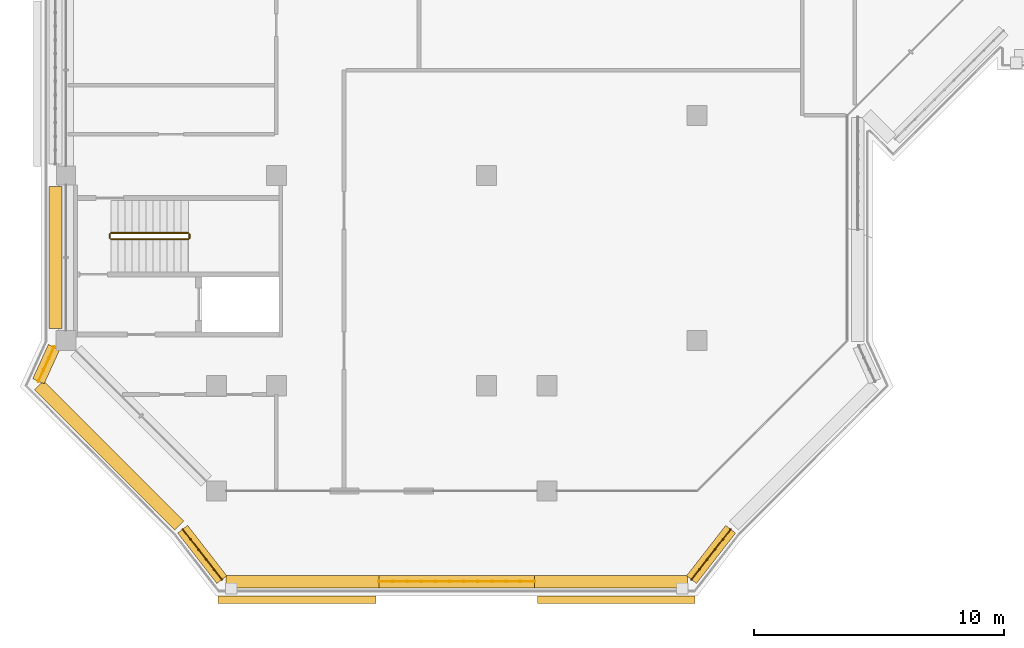
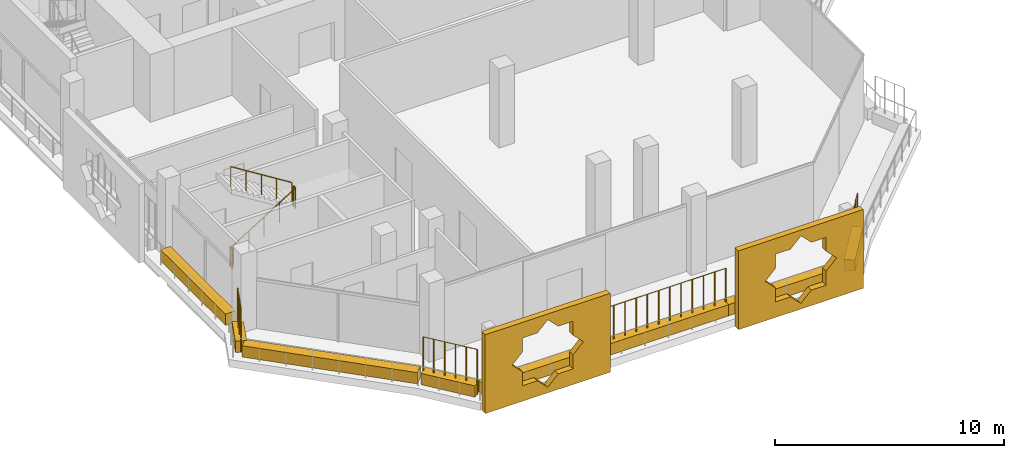
# One storey, part 15 of 23: 10 coverings, 8 railings.
"""IFC4 building model written with IfcOpenShell, lengths in metres."""

from ifc_helpers import new_model, si_unit, direction, frame, origin, origin_2d, place, context, subcontext, project, spatial, polyline, rectangle, circle, outline, extrude, material, material_profile, profile_set, type_object, element, save


model = new_model("IFC4")

# Units and contexts
model_context = context("Model", 3, precision=1e-05, world=origin(), true_north=direction((0.0, 1.0)))
body_context = subcontext(model_context, "Body", "Model", "MODEL_VIEW")
ifc_project = project(units=[si_unit("LENGTHUNIT", "METRE"), si_unit("AREAUNIT", "SQUARE_METRE"), si_unit("VOLUMEUNIT", "CUBIC_METRE"), si_unit("PLANEANGLEUNIT", "RADIAN"), si_unit("MASSUNIT", "GRAM", prefix="KILO")], contexts=[model_context])

# Site, building, storey
site_placement = place(None, origin())
site = spatial("IfcSite", under=ifc_project, at=site_placement, CompositionType="ELEMENT")
building_placement = place(site_placement, origin())
building = spatial("IfcBuilding", under=site, at=building_placement, Name="Kawkab Arch Medical Tower", CompositionType="ELEMENT")
storey_placement = place(building_placement, frame((0.0, 0.0, 281.800048828125)))
storey = spatial("IfcBuildingStorey", under=building, at=storey_placement, Name="L65", CompositionType="ELEMENT", Elevation=281.800048828125)

# Coverings
ifc_material_1 = material(Name="Bronze anodised aluminium mashrabiya panel, eight-point star pattern", Category="aluminium")
ifc_material_profile_1 = material_profile(ifc_material_1, outline(polyline([(-3.14990234375, -2.10009765625), (3.14990234375, -2.10009765625), (3.14990234375, 2.10009765625), (-3.14990234375, 2.10009765625), (-3.14990234375, -2.10009765625)]), holes=[polyline([(1.800048828125, 0.0), (1.272705078125, 0.527099609375), (1.272705078125, 1.272705078125), (0.527099609375, 1.272705078125), (0.0, 1.800048828125), (-0.527099609375, 1.272705078125), (-1.272705078125, 1.272705078125), (-1.272705078125, 0.527099609375), (-1.800048828125, 0.0), (-1.272705078125, -0.527099609375), (-1.272705078125, -1.272705078125), (-0.527099609375, -1.272705078125), (0.0, -1.800048828125), (0.527099609375, -1.272705078125), (1.272705078125, -1.272705078125), (1.272705078125, -0.527099609375), (1.800048828125, 0.0)])]), Name="Mashrabiya panel 6300x4200")
ifc_profile_set_1 = profile_set([ifc_material_profile_1], Name="Bronze anodised aluminium mashrabiya panel, eight-point star pattern")
covering_type_1 = type_object("IfcCoveringType", Name="Mashrabiya panel 6300 x 4200", PredefinedType="USERDEFINED", material=ifc_profile_set_1)
for number, where, z_axis, x_axis, name in (
    (1, (21.976806640625, -50.39990234375, 1.699951171875), (0.0, -1.0, 0.0), (1.0, 0.0, 0.0), "Mashrabiya panel L65.LOG-01-02.8"),
    (2, (9.223388671875, -50.39990234375, 1.699951171875), (0.0, -1.0, 0.0), (1.0, 0.0, 0.0), "Mashrabiya panel L65.LOG-01-02.9"),
):
    element("IfcCovering", number, at=place(storey_placement, frame(where, z_axis=z_axis, x_axis=x_axis)), inside=storey, type_object=covering_type_1, Name=name, ObjectType="SCREEN", PredefinedType="USERDEFINED", context=body_context, shape_type="SweptSolid", body=[
        extrude(outline(polyline([(-3.14990234375, -2.10009765625), (3.14990234375, -2.10009765625), (3.14990234375, 2.10009765625), (-3.14990234375, 2.10009765625), (-3.14990234375, -2.10009765625)]), holes=[polyline([(1.800048828125, 0.0), (1.272705078125, 0.527099609375), (1.272705078125, 1.272705078125), (0.527099609375, 1.272705078125), (0.0, 1.800048828125), (-0.527099609375, 1.272705078125), (-1.272705078125, 1.272705078125), (-1.272705078125, 0.527099609375), (-1.800048828125, 0.0), (-1.272705078125, -0.527099609375), (-1.272705078125, -1.272705078125), (-0.527099609375, -1.272705078125), (0.0, -1.800048828125), (0.527099609375, -1.272705078125), (1.272705078125, -1.272705078125), (1.272705078125, -0.527099609375), (1.800048828125, 0.0)])]), origin(), (0.0, 0.0, 1.0), 0.300048828125),
    ])
ifc_material_2 = material(Name="Planting soil in a precast trough", Category="concrete")
ifc_material_profile_2 = material_profile(ifc_material_2, rectangle(XDim=0.5, YDim=0.60009765625, at=origin_2d()), Name="Trough 500x600")
ifc_profile_set_2 = profile_set([ifc_material_profile_2], Name="Planting soil in a precast trough")
covering_type_2 = type_object("IfcCoveringType", Name="Planter trough 500 x 600", PredefinedType="USERDEFINED", material=ifc_profile_set_2)
covering_1_placement = place(storey_placement, frame((6.221923828125, -49.740966796875, 0.300048828125), z_axis=(-0.61404021143, 0.789274742246, 0.0), x_axis=(-0.789274742246, -0.61404021143, 0.0)))
element("IfcCovering", 3, at=covering_1_placement, inside=storey, type_object=covering_type_2, Name="Planter L65.LOG-01-02.1", ObjectType="PLANTER", PredefinedType="USERDEFINED", context=body_context, shape_type="SweptSolid", body=[
    extrude(rectangle(XDim=0.5, YDim=0.60009765625, at=origin_2d()), origin(), (0.0, 0.0, 1.0), 2.54541015625),
])
covering_2_placement = place(storey_placement, frame((4.527099609375, -47.5830078125, 0.300048828125), z_axis=(-0.707106781187, 0.707106781187, 0.0), x_axis=(-0.707106781187, -0.707106781187, 0.0)))
element("IfcCovering", 4, at=covering_2_placement, inside=storey, type_object=covering_type_2, Name="Planter L65.LOG-01-02.2", ObjectType="PLANTER", PredefinedType="USERDEFINED", context=body_context, shape_type="SweptSolid", body=[
    extrude(rectangle(XDim=0.5, YDim=0.60009765625, at=origin_2d()), origin(), (0.0, 0.0, 1.0), 7.919677734375),
])
covering_3_placement = place(storey_placement, frame((-1.10205078125, -41.821044921875, 0.300048828125), z_axis=(0.415189748133, 0.909734836667, 0.0), x_axis=(-0.909734836667, 0.415189748133, 0.0)))
element("IfcCovering", 5, at=covering_3_placement, inside=storey, type_object=covering_type_2, Name="Planter L65.LOG-01-02.3", ObjectType="PLANTER", PredefinedType="USERDEFINED", context=body_context, shape_type="SweptSolid", body=[
    extrude(rectangle(XDim=0.5, YDim=0.60009765625, at=origin_2d()), origin(), (0.0, 0.0, 1.0), 1.498291015625),
])
covering_4_placement = place(storey_placement, frame((-0.419921875, -39.719970703125, 0.300048828125), z_axis=(0.0, 1.0, 0.0), x_axis=(-1.0, 0.0, 0.0)))
element("IfcCovering", 6, at=covering_4_placement, inside=storey, type_object=covering_type_2, Name="Planter L65.LOG-01-02.4", ObjectType="PLANTER", PredefinedType="USERDEFINED", context=body_context, shape_type="SweptSolid", body=[
    extrude(rectangle(XDim=0.5, YDim=0.60009765625, at=origin_2d()), origin(), (0.0, 0.0, 1.0), 5.6669921875),
])
covering_5_placement = place(storey_placement, frame((26.541015625, -47.73193359375, 0.300048828125), z_axis=(-0.61404021143, -0.789274742246, 0.0), x_axis=(0.789274742246, -0.61404021143, 0.0)))
element("IfcCovering", 7, at=covering_5_placement, inside=storey, type_object=covering_type_2, Name="Planter L65.LOG-01-02.37", ObjectType="PLANTER", PredefinedType="USERDEFINED", context=body_context, shape_type="SweptSolid", body=[
    extrude(rectangle(XDim=0.5, YDim=0.60009765625, at=origin_2d()), origin(), (0.0, 0.0, 1.0), 2.54541015625),
])
covering_6_placement = place(storey_placement, frame((24.81591796875, -49.820068359375, 0.300048828125), z_axis=(-1.0, 0.0, 0.0), x_axis=(0.0, -1.0, 0.0)))
element("IfcCovering", 8, at=covering_6_placement, inside=storey, type_object=covering_type_2, Name="Planter L65.LOG-01-02.38", ObjectType="PLANTER", PredefinedType="USERDEFINED", context=body_context, shape_type="SweptSolid", body=[
    extrude(rectangle(XDim=0.5, YDim=0.60009765625, at=origin_2d()), origin(), (0.0, 0.0, 1.0), 6.11083984375),
])
covering_7_placement = place(storey_placement, frame((18.705078125, -49.820068359375, 0.300048828125), z_axis=(-1.0, 0.0, 0.0), x_axis=(0.0, -1.0, 0.0)))
element("IfcCovering", 9, at=covering_7_placement, inside=storey, type_object=covering_type_2, Name="Planter L65.LOG-01-02.39", ObjectType="PLANTER", PredefinedType="USERDEFINED", context=body_context, shape_type="SweptSolid", body=[
    extrude(rectangle(XDim=0.5, YDim=0.60009765625, at=origin_2d()), origin(), (0.0, 0.0, 1.0), 6.2099609375),
])
covering_8_placement = place(storey_placement, frame((12.4951171875, -49.820068359375, 0.300048828125), z_axis=(-1.0, 0.0, 0.0), x_axis=(0.0, -1.0, 0.0)))
element("IfcCovering", 10, at=covering_8_placement, inside=storey, type_object=covering_type_2, Name="Planter L65.LOG-01-02.40", ObjectType="PLANTER", PredefinedType="USERDEFINED", context=body_context, shape_type="SweptSolid", body=[
    extrude(rectangle(XDim=0.5, YDim=0.60009765625, at=origin_2d()), origin(), (0.0, 0.0, 1.0), 6.111083984375),
])

# Railings
ifc_material_3 = material(Name="Bronze anodised aluminium trellis for climbing plants", Category="aluminium")
railing_type_1 = type_object("IfcRailingType", Name="Planting trellis 2400", PredefinedType="USERDEFINED", material=ifc_material_3)
railing_1_placement = place(storey_placement, frame((6.221923828125, -49.740966796875, 0.0)))
element("IfcRailing", 11, at=railing_1_placement, inside=storey, type_object=railing_type_1, Name="Planting trellis L65.LOG-01-02.1", ObjectType="TRELLIS", PredefinedType="USERDEFINED", context=body_context, shape_type="SweptSolid", body=[
    extrude(circle(Radius=0.01513671875, at=origin_2d()), frame((0.0, 0.0, 2.384765625), z_axis=(-0.61404021143, 0.789274742246, 0.0), x_axis=(-0.789274742246, -0.61404021143, 0.0)), (0.0, 0.0, 1.0), 2.54541015625),
    extrude(circle(Radius=0.030029296875, at=origin_2d()), origin(), (0.0, 0.0, 1.0), 2.369873046875),
    extrude(circle(Radius=0.030029296875, at=origin_2d()), frame((-0.3125, 0.40185546875, 0.0)), (0.0, 0.0, 1.0), 2.369873046875),
    extrude(circle(Radius=0.030029296875, at=origin_2d()), frame((-0.625244140625, 0.8037109375, 0.0)), (0.0, 0.0, 1.0), 2.369873046875),
    extrude(circle(Radius=0.030029296875, at=origin_2d()), frame((-0.937744140625, 1.205322265625, 0.0)), (0.0, 0.0, 1.0), 2.369873046875),
    extrude(circle(Radius=0.030029296875, at=origin_2d()), frame((-1.25048828125, 1.607177734375, 0.0)), (0.0, 0.0, 1.0), 2.369873046875),
    extrude(circle(Radius=0.030029296875, at=origin_2d()), frame((-1.56298828125, 2.009033203125, 0.0)), (0.0, 0.0, 1.0), 2.369873046875),
])
railing_2_placement = place(storey_placement, frame((-1.10205078125, -41.821044921875, 0.0)))
element("IfcRailing", 12, at=railing_2_placement, inside=storey, type_object=railing_type_1, Name="Planting trellis L65.LOG-01-02.3", ObjectType="TRELLIS", PredefinedType="USERDEFINED", context=body_context, shape_type="SweptSolid", body=[
    extrude(circle(Radius=0.01513671875, at=origin_2d()), frame((0.0, 0.0, 2.384765625), z_axis=(0.415189748133, 0.909734836667, 0.0), x_axis=(-0.909734836667, 0.415189748133, 0.0)), (0.0, 0.0, 1.0), 1.498291015625),
    extrude(circle(Radius=0.030029296875, at=origin_2d()), origin(), (0.0, 0.0, 1.0), 2.369873046875),
    extrude(circle(Radius=0.030029296875, at=origin_2d()), frame((0.207275390625, 0.454345703125, 0.0)), (0.0, 0.0, 1.0), 2.369873046875),
    extrude(circle(Radius=0.030029296875, at=origin_2d()), frame((0.414794921875, 0.90869140625, 0.0)), (0.0, 0.0, 1.0), 2.369873046875),
    extrude(circle(Radius=0.030029296875, at=origin_2d()), frame((0.6220703125, 1.363037109375, 0.0)), (0.0, 0.0, 1.0), 2.369873046875),
])
railing_3_placement = place(storey_placement, frame((26.541015625, -47.73193359375, 0.0)))
element("IfcRailing", 13, at=railing_3_placement, inside=storey, type_object=railing_type_1, Name="Planting trellis L65.LOG-01-02.37", ObjectType="TRELLIS", PredefinedType="USERDEFINED", context=body_context, shape_type="SweptSolid", body=[
    extrude(circle(Radius=0.01513671875, at=origin_2d()), frame((0.0, 0.0, 2.384765625), z_axis=(-0.61404021143, -0.789274742246, 0.0), x_axis=(0.789274742246, -0.61404021143, 0.0)), (0.0, 0.0, 1.0), 2.54541015625),
    extrude(circle(Radius=0.030029296875, at=origin_2d()), origin(), (0.0, 0.0, 1.0), 2.369873046875),
    extrude(circle(Radius=0.030029296875, at=origin_2d()), frame((-0.3125, -0.40185546875, 0.0)), (0.0, 0.0, 1.0), 2.369873046875),
    extrude(circle(Radius=0.030029296875, at=origin_2d()), frame((-0.625244140625, -0.8037109375, 0.0)), (0.0, 0.0, 1.0), 2.369873046875),
    extrude(circle(Radius=0.030029296875, at=origin_2d()), frame((-0.937744140625, -1.205322265625, 0.0)), (0.0, 0.0, 1.0), 2.369873046875),
    extrude(circle(Radius=0.030029296875, at=origin_2d()), frame((-1.25048828125, -1.607177734375, 0.0)), (0.0, 0.0, 1.0), 2.369873046875),
    extrude(circle(Radius=0.030029296875, at=origin_2d()), frame((-1.56298828125, -2.009033203125, 0.0)), (0.0, 0.0, 1.0), 2.369873046875),
])
railing_4_placement = place(storey_placement, frame((18.705078125, -49.820068359375, 0.0)))
element("IfcRailing", 14, at=railing_4_placement, inside=storey, type_object=railing_type_1, Name="Planting trellis L65.LOG-01-02.39", ObjectType="TRELLIS", PredefinedType="USERDEFINED", context=body_context, shape_type="SweptSolid", body=[
    extrude(circle(Radius=0.01513671875, at=origin_2d()), frame((0.0, 0.0, 2.384765625), z_axis=(-1.0, 0.0, 0.0), x_axis=(0.0, -1.0, 0.0)), (0.0, 0.0, 1.0), 6.2099609375),
    extrude(circle(Radius=0.030029296875, at=origin_2d()), origin(), (0.0, 0.0, 1.0), 2.369873046875),
    extrude(circle(Radius=0.030029296875, at=origin_2d()), frame((-0.564453125, 0.0, 0.0)), (0.0, 0.0, 1.0), 2.369873046875),
    extrude(circle(Radius=0.030029296875, at=origin_2d()), frame((-1.129150390625, 0.0, 0.0)), (0.0, 0.0, 1.0), 2.369873046875),
    extrude(circle(Radius=0.030029296875, at=origin_2d()), frame((-1.693603515625, 0.0, 0.0)), (0.0, 0.0, 1.0), 2.369873046875),
    extrude(circle(Radius=0.030029296875, at=origin_2d()), frame((-2.258056640625, 0.0, 0.0)), (0.0, 0.0, 1.0), 2.369873046875),
    extrude(circle(Radius=0.030029296875, at=origin_2d()), frame((-2.82275390625, 0.0, 0.0)), (0.0, 0.0, 1.0), 2.369873046875),
    extrude(circle(Radius=0.030029296875, at=origin_2d()), frame((-3.38720703125, 0.0, 0.0)), (0.0, 0.0, 1.0), 2.369873046875),
    extrude(circle(Radius=0.030029296875, at=origin_2d()), frame((-3.951904296875, 0.0, 0.0)), (0.0, 0.0, 1.0), 2.369873046875),
    extrude(circle(Radius=0.030029296875, at=origin_2d()), frame((-4.516357421875, 0.0, 0.0)), (0.0, 0.0, 1.0), 2.369873046875),
    extrude(circle(Radius=0.030029296875, at=origin_2d()), frame((-5.080810546875, 0.0, 0.0)), (0.0, 0.0, 1.0), 2.369873046875),
    extrude(circle(Radius=0.030029296875, at=origin_2d()), frame((-5.6455078125, 0.0, 0.0)), (0.0, 0.0, 1.0), 2.369873046875),
    extrude(circle(Radius=0.030029296875, at=origin_2d()), frame((-6.2099609375, 0.0, 0.0)), (0.0, 0.0, 1.0), 2.369873046875),
])
ifc_material_4 = material(Name="Stainless steel", Category="steel")
railing_type_2 = type_object("IfcRailingType", Name="Stair guard 1100", PredefinedType="GUARDRAIL", material=ifc_material_4)
railing_5_placement = place(storey_placement, frame((1.800048828125, -36.14990234375, 0.175048828125)))
element("IfcRailing", 15, at=railing_5_placement, inside=storey, type_object=railing_type_2, Name="L65 ST6 stair guard 1", PredefinedType="GUARDRAIL", context=body_context, shape_type="SweptSolid", body=[
    extrude(circle(Radius=0.02392578125, at=origin_2d()), frame((0.0, 0.0, 1.076171875), z_axis=(0.848009633417, 0.0, 0.529980812513), x_axis=(0.0, 1.0, 0.0)), (0.0, 0.0, 1.0), 3.6318359375),
    extrude(circle(Radius=0.02099609375, at=origin_2d()), origin(), (0.0, 0.0, 1.0), 1.052001953125),
    extrude(circle(Radius=0.02099609375, at=origin_2d()), frame((0.77001953125, 0.0, 0.481201171875)), (0.0, 0.0, 1.0), 1.052001953125),
    extrude(circle(Radius=0.02099609375, at=origin_2d()), frame((1.5400390625, 0.0, 0.96240234375)), (0.0, 0.0, 1.0), 1.052001953125),
    extrude(circle(Radius=0.02099609375, at=origin_2d()), frame((2.309814453125, 0.0, 1.443603515625)), (0.0, 0.0, 1.0), 1.052001953125),
    extrude(circle(Radius=0.02099609375, at=origin_2d()), frame((3.079833984375, 0.0, 1.9248046875)), (0.0, 0.0, 1.0), 1.052001953125),
])
railing_6_placement = place(storey_placement, frame((4.929931640625, -36.10009765625, 2.099853515625)))
element("IfcRailing", 16, at=railing_6_placement, inside=storey, type_object=railing_type_2, Name="L65 ST6 stair guard 2", PredefinedType="GUARDRAIL", context=body_context, shape_type="SweptSolid", body=[
    extrude(circle(Radius=0.02392578125, at=origin_2d()), frame((0.0, 0.0, 1.076171875), z_axis=(0.0, 1.0, 0.0), x_axis=(-1.0, 0.0, 0.0)), (0.0, 0.0, 1.0), 0.150146484375),
    extrude(circle(Radius=0.02099609375, at=origin_2d()), origin(), (0.0, 0.0, 1.0), 1.052001953125),
    extrude(circle(Radius=0.02099609375, at=origin_2d()), frame((0.0, 0.150146484375, 0.0)), (0.0, 0.0, 1.0), 1.052001953125),
])
railing_7_placement = place(storey_placement, frame((4.8798828125, -35.89990234375, 2.27490234375)))
element("IfcRailing", 17, at=railing_7_placement, inside=storey, type_object=railing_type_2, Name="L65 ST6 stair guard 3", PredefinedType="GUARDRAIL", context=body_context, shape_type="SweptSolid", body=[
    extrude(circle(Radius=0.02392578125, at=origin_2d()), frame((0.0, 0.0, 1.076171875), z_axis=(-0.847979421464, 0.0, 0.530029150871), x_axis=(0.0, -1.0, 0.0)), (0.0, 0.0, 1.0), 3.632080078125),
    extrude(circle(Radius=0.02099609375, at=origin_2d()), origin(), (0.0, 0.0, 1.0), 1.052001953125),
    extrude(circle(Radius=0.02099609375, at=origin_2d()), frame((-0.77001953125, 0.0, 0.481201171875)), (0.0, 0.0, 1.0), 1.052001953125),
    extrude(circle(Radius=0.02099609375, at=origin_2d()), frame((-1.5400390625, 0.0, 0.96240234375)), (0.0, 0.0, 1.0), 1.052001953125),
    extrude(circle(Radius=0.02099609375, at=origin_2d()), frame((-2.309814453125, 0.0, 1.44384765625)), (0.0, 0.0, 1.0), 1.052001953125),
    extrude(circle(Radius=0.02099609375, at=origin_2d()), frame((-3.079833984375, 0.0, 1.925048828125)), (0.0, 0.0, 1.0), 1.052001953125),
])
railing_8_placement = place(storey_placement, frame((1.75, -36.10009765625, 0.0)))
element("IfcRailing", 18, at=railing_8_placement, inside=storey, type_object=railing_type_2, Name="L65 ST6 stair guard 4", PredefinedType="GUARDRAIL", context=body_context, shape_type="SweptSolid", body=[
    extrude(circle(Radius=0.02392578125, at=origin_2d()), frame((0.0, 0.0, 1.076171875), z_axis=(0.0, 1.0, 0.0), x_axis=(-1.0, 0.0, 0.0)), (0.0, 0.0, 1.0), 0.150146484375),
    extrude(circle(Radius=0.02099609375, at=origin_2d()), origin(), (0.0, 0.0, 1.0), 1.052001953125),
    extrude(circle(Radius=0.02099609375, at=origin_2d()), frame((0.0, 0.150146484375, 0.0)), (0.0, 0.0, 1.0), 1.052001953125),
])

save(model, "model.ifc")
